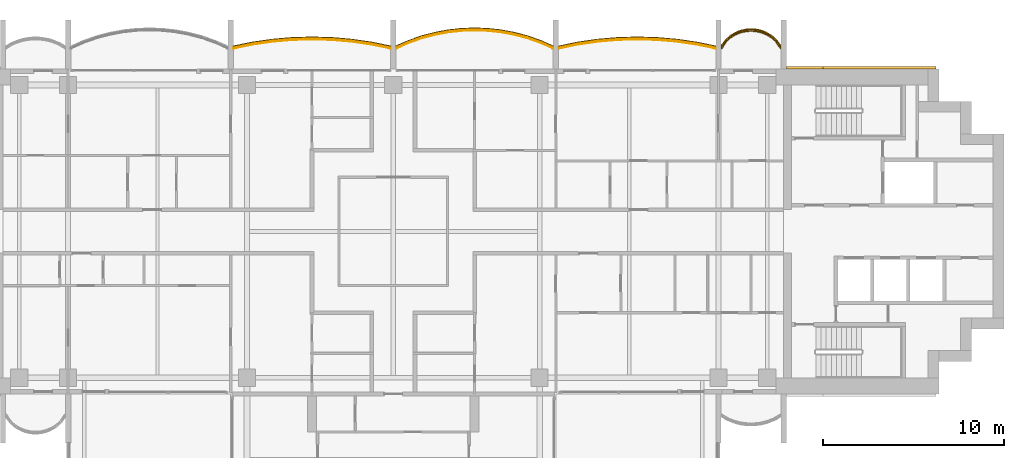
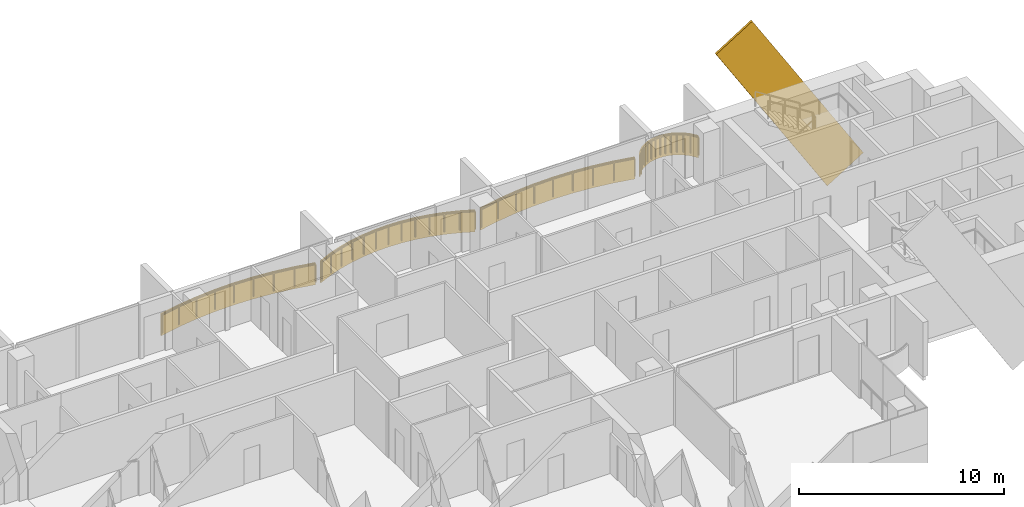
# One storey, part 18 of 18: 5 coverings, 4 railings.
"""IFC4 building model written with IfcOpenShell, lengths in metres."""

from ifc_helpers import new_model, si_unit, direction, frame, origin, origin_2d, place, context, subcontext, project, spatial, polyline, rectangle, outline, extrude, material, layer, layer_set, material_profile, profile_set, type_object, element, save


model = new_model("IFC4")

# Units and contexts
model_context = context("Model", 3, precision=1e-05, world=origin(), true_north=direction((0.0, 1.0)))
body_context = subcontext(model_context, "Body", "Model", "MODEL_VIEW")
ifc_project = project(units=[si_unit("LENGTHUNIT", "METRE"), si_unit("AREAUNIT", "SQUARE_METRE"), si_unit("VOLUMEUNIT", "CUBIC_METRE"), si_unit("PLANEANGLEUNIT", "RADIAN"), si_unit("MASSUNIT", "GRAM", prefix="KILO")], contexts=[model_context])

# Site, building, storey
site_placement = place(None, origin())
site = spatial("IfcSite", under=ifc_project, at=site_placement, CompositionType="ELEMENT")
building_placement = place(site_placement, origin())
building = spatial("IfcBuilding", under=site, at=building_placement, Name="Perihelion Cross Residences", CompositionType="ELEMENT")
storey_placement = place(building_placement, frame((0.0, 0.0, 177.10009765625)))
storey = spatial("IfcBuildingStorey", under=building, at=storey_placement, Name="L43", CompositionType="ELEMENT", Elevation=177.10009765625)

# Coverings
ifc_material_1 = material(Name="Bronze anodised aluminium", Category="aluminium")
ifc_layer = layer(ifc_material_1, 0.070068359375)
ifc_layer_set = layer_set([ifc_layer], Name="Balcony fascia 1300")
covering_type_1 = type_object("IfcCoveringType", Name="Balcony fascia 1300", PredefinedType="CLADDING", material=ifc_layer_set)
covering_1_placement = place(storey_placement, frame((0.0, 0.0, -0.2001953125)))
element("IfcCovering", 1, at=covering_1_placement, inside=storey, type_object=covering_type_1, Name="Fascia BF1 L43 east side north bay 1", PredefinedType="CLADDING", context=body_context, shape_type="SweptSolid", body=[
    extrude(outline(polyline([(21.226318359375, 10.616455078125), (20.94091796875, 10.86328125), (20.655517578125, 11.031494140625), (20.370361328125, 11.142578125), (20.085205078125, 11.206298828125), (19.800048828125, 11.22705078125), (19.514892578125, 11.206298828125), (19.229736328125, 11.142578125), (18.9443359375, 11.031494140625), (18.6591796875, 10.86328125), (18.373779296875, 10.616455078125), (18.14990234375, 10.31689453125), (18.14990234375, 10.199951171875), (18.425048828125, 10.568603515625), (18.699951171875, 10.806396484375), (18.97509765625, 10.96875), (19.25, 11.07568359375), (19.52490234375, 11.136962890625), (19.800048828125, 11.156982421875), (20.074951171875, 11.136962890625), (20.35009765625, 11.07568359375), (20.625, 10.96875), (20.89990234375, 10.806396484375), (21.175048828125, 10.568603515625), (21.449951171875, 10.199951171875), (21.449951171875, 10.31689453125), (21.226318359375, 10.616455078125)])), origin(), (0.0, 0.0, 1.0), 1.300048828125),
])
covering_2_placement = place(storey_placement, frame((0.0, 0.0, -0.2001953125)))
element("IfcCovering", 2, at=covering_2_placement, inside=storey, type_object=covering_type_1, Name="Fascia BF1 L43 east side north bay 2", PredefinedType="CLADDING", context=body_context, shape_type="SweptSolid", body=[
    extrude(outline(polyline([(16.7744140625, 10.4892578125), (15.682861328125, 10.645751953125), (14.591552734375, 10.739013671875), (13.5, 10.77001953125), (12.408447265625, 10.739013671875), (11.317138671875, 10.645751953125), (10.2255859375, 10.4892578125), (9.14990234375, 10.271484375), (9.14990234375, 10.199951171875), (10.237548828125, 10.42041015625), (11.324951171875, 10.576171875), (12.41259765625, 10.669189453125), (13.5, 10.699951171875), (14.58740234375, 10.669189453125), (15.675048828125, 10.576171875), (16.762451171875, 10.42041015625), (17.85009765625, 10.199951171875), (17.85009765625, 10.271484375), (16.7744140625, 10.4892578125)])), origin(), (0.0, 0.0, 1.0), 1.300048828125),
])
covering_3_placement = place(storey_placement, frame((0.0, 0.0, -0.2001953125)))
element("IfcCovering", 3, at=covering_3_placement, inside=storey, type_object=covering_type_1, Name="Fascia BF1 L43 north side east bay 1", PredefinedType="CLADDING", context=body_context, shape_type="SweptSolid", body=[
    extrude(outline(polyline([(8.150634765625, 10.582275390625), (7.42041015625, 10.83544921875), (6.690185546875, 11.028076171875), (5.960205078125, 11.1630859375), (5.22998046875, 11.243408203125), (4.5, 11.27001953125), (3.77001953125, 11.243408203125), (3.039794921875, 11.1630859375), (2.309814453125, 11.028076171875), (1.57958984375, 10.83544921875), (0.849365234375, 10.582275390625), (0.14990234375, 10.2763671875), (0.14990234375, 10.199951171875), (0.875, 10.51708984375), (1.60009765625, 10.7685546875), (2.324951171875, 10.959716796875), (3.050048828125, 11.093994140625), (3.77490234375, 11.173583984375), (4.5, 11.199951171875), (5.22509765625, 11.173583984375), (5.949951171875, 11.093994140625), (6.675048828125, 10.959716796875), (7.39990234375, 10.7685546875), (8.125, 10.51708984375), (8.85009765625, 10.199951171875), (8.85009765625, 10.2763671875), (8.150634765625, 10.582275390625)])), origin(), (0.0, 0.0, 1.0), 1.300048828125),
])
covering_4_placement = place(storey_placement, frame((0.0, 0.0, -0.2001953125)))
element("IfcCovering", 4, at=covering_4_placement, inside=storey, type_object=covering_type_1, Name="Fascia BF1 L43 north side east bay 2", PredefinedType="CLADDING", context=body_context, shape_type="SweptSolid", body=[
    extrude(outline(polyline([(-1.2255859375, 10.4892578125), (-2.317138671875, 10.645751953125), (-3.408447265625, 10.739013671875), (-4.5, 10.77001953125), (-5.591552734375, 10.739013671875), (-6.682861328125, 10.645751953125), (-7.7744140625, 10.4892578125), (-8.85009765625, 10.271484375), (-8.85009765625, 10.199951171875), (-7.762451171875, 10.42041015625), (-6.675048828125, 10.576171875), (-5.58740234375, 10.669189453125), (-4.5, 10.699951171875), (-3.41259765625, 10.669189453125), (-2.324951171875, 10.576171875), (-1.237548828125, 10.42041015625), (-0.14990234375, 10.199951171875), (-0.14990234375, 10.271484375), (-1.2255859375, 10.4892578125)])), origin(), (0.0, 0.0, 1.0), 1.300048828125),
])

# Railings
ifc_material_2 = material(Name="Bronze anodised aluminium", Category="aluminium")
railing_type = type_object("IfcRailingType", Name="Balcony guard 1100", PredefinedType="GUARDRAIL", material=ifc_material_2)
railing_1_placement = place(storey_placement, frame((21.425048828125, 10.139892578125, 0.0)))
element("IfcRailing", 5, at=railing_1_placement, inside=storey, type_object=railing_type, Name="Guard GU1 L43 east side north bay 1 balcony", PredefinedType="GUARDRAIL", context=body_context, shape_type="SweptSolid", body=[
    extrude(rectangle(XDim=0.048095703125, YDim=0.048095703125, at=origin_2d()), frame((0.0, 0.0, 1.076171875), z_axis=(-0.561260132269, 0.827639452857, 0.0), x_axis=(-0.827639452857, -0.561260132269, 0.0)), (0.0, 0.0, 1.0), 0.4453125),
    extrude(rectangle(XDim=0.048095703125, YDim=0.048095703125, at=origin_2d()), frame((-0.25, 0.36865234375, 1.076171875), z_axis=(-0.756596535164, 0.653882009982, 0.0), x_axis=(-0.653882009982, -0.756596535164, 0.0)), (0.0, 0.0, 1.0), 0.36376953125),
    extrude(rectangle(XDim=0.048095703125, YDim=0.048095703125, at=origin_2d()), frame((-0.525146484375, 0.6064453125, 1.076171875), z_axis=(-0.861048292884, 0.508523192511, 0.0), x_axis=(-0.508523192511, -0.861048292884, 0.0)), (0.0, 0.0, 1.0), 0.3193359375),
    extrude(rectangle(XDim=0.048095703125, YDim=0.048095703125, at=origin_2d()), frame((-0.800048828125, 0.768798828125, 1.076171875), z_axis=(-0.931973602183, 0.362526143656, 0.0), x_axis=(-0.362526143656, -0.931973602183, 0.0)), (0.0, 0.0, 1.0), 0.294921875),
    extrude(rectangle(XDim=0.048095703125, YDim=0.048095703125, at=origin_2d()), frame((-1.074951171875, 0.875732421875, 1.076171875), z_axis=(-0.976085059389, 0.21738895289, 0.0), x_axis=(-0.21738895289, -0.976085059389, 0.0)), (0.0, 0.0, 1.0), 0.281982421875),
    extrude(rectangle(XDim=0.048095703125, YDim=0.048095703125, at=origin_2d()), frame((-1.35009765625, 0.93701171875, 1.076171875), z_axis=(-0.997358821833, 0.072631814734, 0.0), x_axis=(-0.072631814734, -0.997358821833, 0.0)), (0.0, 0.0, 1.0), 0.275634765625),
    extrude(rectangle(XDim=0.048095703125, YDim=0.048095703125, at=origin_2d()), frame((-1.625, 0.95703125, 1.076171875), z_axis=(-0.997363488337, -0.072567707226, 0.0), x_axis=(0.072567707226, -0.997363488337, 0.0)), (0.0, 0.0, 1.0), 0.27587890625),
    extrude(rectangle(XDim=0.048095703125, YDim=0.048095703125, at=origin_2d()), frame((-1.900146484375, 0.93701171875, 1.076171875), z_axis=(-0.976044077717, -0.217572880557, 0.0), x_axis=(0.217572880557, -0.976044077717, 0.0)), (0.0, 0.0, 1.0), 0.28173828125),
    extrude(rectangle(XDim=0.048095703125, YDim=0.048095703125, at=origin_2d()), frame((-2.175048828125, 0.875732421875, 1.076171875), z_axis=(-0.931973602183, -0.362526143656, 0.0), x_axis=(0.362526143656, -0.931973602183, 0.0)), (0.0, 0.0, 1.0), 0.294921875),
    extrude(rectangle(XDim=0.048095703125, YDim=0.048095703125, at=origin_2d()), frame((-2.449951171875, 0.768798828125, 1.076171875), z_axis=(-0.861245845072, -0.508188542123, 0.0), x_axis=(0.508188542123, -0.861245845072, 0.0)), (0.0, 0.0, 1.0), 0.319580078125),
    extrude(rectangle(XDim=0.048095703125, YDim=0.048095703125, at=origin_2d()), frame((-2.72509765625, 0.6064453125, 1.076171875), z_axis=(-0.756309278473, -0.654214242658, 0.0), x_axis=(0.654214242658, -0.756309278473, 0.0)), (0.0, 0.0, 1.0), 0.363525390625),
    extrude(rectangle(XDim=0.048095703125, YDim=0.048095703125, at=origin_2d()), frame((-3.0, 0.36865234375, 1.076171875), z_axis=(-0.561260132269, -0.827639452857, 0.0), x_axis=(0.827639452857, -0.561260132269, 0.0)), (0.0, 0.0, 1.0), 0.4453125),
    extrude(rectangle(XDim=0.0419921875, YDim=0.0419921875, at=origin_2d()), origin(), (0.0, 0.0, 1.0), 1.052001953125),
    extrude(rectangle(XDim=0.0419921875, YDim=0.0419921875, at=origin_2d()), frame((-0.25, 0.36865234375, 0.0)), (0.0, 0.0, 1.0), 1.052001953125),
    extrude(rectangle(XDim=0.0419921875, YDim=0.0419921875, at=origin_2d()), frame((-0.525146484375, 0.6064453125, 0.0)), (0.0, 0.0, 1.0), 1.052001953125),
    extrude(rectangle(XDim=0.0419921875, YDim=0.0419921875, at=origin_2d()), frame((-0.800048828125, 0.768798828125, 0.0)), (0.0, 0.0, 1.0), 1.052001953125),
    extrude(rectangle(XDim=0.0419921875, YDim=0.0419921875, at=origin_2d()), frame((-1.074951171875, 0.875732421875, 0.0)), (0.0, 0.0, 1.0), 1.052001953125),
    extrude(rectangle(XDim=0.0419921875, YDim=0.0419921875, at=origin_2d()), frame((-1.35009765625, 0.93701171875, 0.0)), (0.0, 0.0, 1.0), 1.052001953125),
    extrude(rectangle(XDim=0.0419921875, YDim=0.0419921875, at=origin_2d()), frame((-1.625, 0.95703125, 0.0)), (0.0, 0.0, 1.0), 1.052001953125),
    extrude(rectangle(XDim=0.0419921875, YDim=0.0419921875, at=origin_2d()), frame((-1.900146484375, 0.93701171875, 0.0)), (0.0, 0.0, 1.0), 1.052001953125),
    extrude(rectangle(XDim=0.0419921875, YDim=0.0419921875, at=origin_2d()), frame((-2.175048828125, 0.875732421875, 0.0)), (0.0, 0.0, 1.0), 1.052001953125),
    extrude(rectangle(XDim=0.0419921875, YDim=0.0419921875, at=origin_2d()), frame((-2.449951171875, 0.768798828125, 0.0)), (0.0, 0.0, 1.0), 1.052001953125),
    extrude(rectangle(XDim=0.0419921875, YDim=0.0419921875, at=origin_2d()), frame((-2.72509765625, 0.6064453125, 0.0)), (0.0, 0.0, 1.0), 1.052001953125),
    extrude(rectangle(XDim=0.0419921875, YDim=0.0419921875, at=origin_2d()), frame((-3.0, 0.36865234375, 0.0)), (0.0, 0.0, 1.0), 1.052001953125),
    extrude(rectangle(XDim=0.0419921875, YDim=0.0419921875, at=origin_2d()), frame((-3.25, 0.0, 0.0)), (0.0, 0.0, 1.0), 1.052001953125),
])
railing_2_placement = place(storey_placement, frame((17.824951171875, 10.139892578125, 0.0)))
element("IfcRailing", 6, at=railing_2_placement, inside=storey, type_object=railing_type, Name="Guard GU1 L43 east side north bay 2 balcony", PredefinedType="GUARDRAIL", context=body_context, shape_type="SweptSolid", body=[
    extrude(rectangle(XDim=0.048095703125, YDim=0.048095703125, at=origin_2d()), frame((0.0, 0.0, 1.076171875), z_axis=(-0.979144816647, 0.203163549961, 0.0), x_axis=(-0.203163549961, -0.979144816647, 0.0)), (0.0, 0.0, 1.0), 1.085205078125),
    extrude(rectangle(XDim=0.048095703125, YDim=0.048095703125, at=origin_2d()), frame((-1.0625, 0.220458984375, 1.076171875), z_axis=(-0.98989608354, 0.141794724135, 0.0), x_axis=(-0.141794724135, -0.98989608354, 0.0)), (0.0, 0.0, 1.0), 1.098388671875),
    extrude(rectangle(XDim=0.048095703125, YDim=0.048095703125, at=origin_2d()), frame((-2.14990234375, 0.376220703125, 1.076171875), z_axis=(-0.996362942492, 0.085210837506, 0.0), x_axis=(-0.085210837506, -0.996362942492, 0.0)), (0.0, 0.0, 1.0), 1.091552734375),
    extrude(rectangle(XDim=0.048095703125, YDim=0.048095703125, at=origin_2d()), frame((-3.237548828125, 0.46923828125, 1.076171875), z_axis=(-0.999600101203, 0.028277865458, 0.0), x_axis=(-0.028277865458, -0.999600101203, 0.0)), (0.0, 0.0, 1.0), 1.087890625),
    extrude(rectangle(XDim=0.048095703125, YDim=0.048095703125, at=origin_2d()), frame((-4.324951171875, 0.5, 1.076171875), z_axis=(-0.999600101203, -0.028277865458, 0.0), x_axis=(0.028277865458, -0.999600101203, 0.0)), (0.0, 0.0, 1.0), 1.087890625),
    extrude(rectangle(XDim=0.048095703125, YDim=0.048095703125, at=origin_2d()), frame((-5.412353515625, 0.46923828125, 1.076171875), z_axis=(-0.996362942492, -0.085210837506, 0.0), x_axis=(0.085210837506, -0.996362942492, 0.0)), (0.0, 0.0, 1.0), 1.091552734375),
    extrude(rectangle(XDim=0.048095703125, YDim=0.048095703125, at=origin_2d()), frame((-6.5, 0.376220703125, 1.076171875), z_axis=(-0.98989608354, -0.141794724135, 0.0), x_axis=(0.141794724135, -0.98989608354, 0.0)), (0.0, 0.0, 1.0), 1.098388671875),
    extrude(rectangle(XDim=0.048095703125, YDim=0.048095703125, at=origin_2d()), frame((-7.58740234375, 0.220458984375, 1.076171875), z_axis=(-0.979144816647, -0.203163549961, 0.0), x_axis=(0.203163549961, -0.979144816647, 0.0)), (0.0, 0.0, 1.0), 1.085205078125),
    extrude(rectangle(XDim=0.0419921875, YDim=0.0419921875, at=origin_2d()), origin(), (0.0, 0.0, 1.0), 1.052001953125),
    extrude(rectangle(XDim=0.0419921875, YDim=0.0419921875, at=origin_2d()), frame((-1.0625, 0.220458984375, 0.0)), (0.0, 0.0, 1.0), 1.052001953125),
    extrude(rectangle(XDim=0.0419921875, YDim=0.0419921875, at=origin_2d()), frame((-2.14990234375, 0.376220703125, 0.0)), (0.0, 0.0, 1.0), 1.052001953125),
    extrude(rectangle(XDim=0.0419921875, YDim=0.0419921875, at=origin_2d()), frame((-3.237548828125, 0.46923828125, 0.0)), (0.0, 0.0, 1.0), 1.052001953125),
    extrude(rectangle(XDim=0.0419921875, YDim=0.0419921875, at=origin_2d()), frame((-4.324951171875, 0.5, 0.0)), (0.0, 0.0, 1.0), 1.052001953125),
    extrude(rectangle(XDim=0.0419921875, YDim=0.0419921875, at=origin_2d()), frame((-5.412353515625, 0.46923828125, 0.0)), (0.0, 0.0, 1.0), 1.052001953125),
    extrude(rectangle(XDim=0.0419921875, YDim=0.0419921875, at=origin_2d()), frame((-6.5, 0.376220703125, 0.0)), (0.0, 0.0, 1.0), 1.052001953125),
    extrude(rectangle(XDim=0.0419921875, YDim=0.0419921875, at=origin_2d()), frame((-7.58740234375, 0.220458984375, 0.0)), (0.0, 0.0, 1.0), 1.052001953125),
    extrude(rectangle(XDim=0.0419921875, YDim=0.0419921875, at=origin_2d()), frame((-8.64990234375, 0.0, 0.0)), (0.0, 0.0, 1.0), 1.052001953125),
])
railing_3_placement = place(storey_placement, frame((8.824951171875, 10.139892578125, 0.0)))
element("IfcRailing", 7, at=railing_3_placement, inside=storey, type_object=railing_type, Name="Guard GU1 L43 north side east bay 1 balcony", PredefinedType="GUARDRAIL", context=body_context, shape_type="SweptSolid", body=[
    extrude(rectangle(XDim=0.048095703125, YDim=0.048095703125, at=origin_2d()), frame((0.0, 0.0, 1.076171875), z_axis=(-0.910866309087, 0.412701547089, 0.0), x_axis=(-0.412701547089, -0.910866309087, 0.0)), (0.0, 0.0, 1.0), 0.7685546875),
    extrude(rectangle(XDim=0.048095703125, YDim=0.048095703125, at=origin_2d()), frame((-0.699951171875, 0.317138671875, 1.076171875), z_axis=(-0.944796812452, 0.327656807012, 0.0), x_axis=(-0.327656807012, -0.944796812452, 0.0)), (0.0, 0.0, 1.0), 0.767578125),
    extrude(rectangle(XDim=0.048095703125, YDim=0.048095703125, at=origin_2d()), frame((-1.425048828125, 0.568603515625, 1.076171875), z_axis=(-0.966939404945, 0.255006249266, 0.0), x_axis=(-0.255006249266, -0.966939404945, 0.0)), (0.0, 0.0, 1.0), 0.749755859375),
    extrude(rectangle(XDim=0.048095703125, YDim=0.048095703125, at=origin_2d()), frame((-2.14990234375, 0.759765625, 1.076171875), z_axis=(-0.983282004984, 0.182089260182, 0.0), x_axis=(-0.182089260182, -0.983282004984, 0.0)), (0.0, 0.0, 1.0), 0.7373046875),
    extrude(rectangle(XDim=0.048095703125, YDim=0.048095703125, at=origin_2d()), frame((-2.875, 0.89404296875, 1.076171875), z_axis=(-0.994025805622, 0.109145305703, 0.0), x_axis=(-0.109145305703, -0.994025805622, 0.0)), (0.0, 0.0, 1.0), 0.729248046875),
    extrude(rectangle(XDim=0.048095703125, YDim=0.048095703125, at=origin_2d()), frame((-3.599853515625, 0.9736328125, 1.076171875), z_axis=(-0.999339497946, 0.036339618107, 0.0), x_axis=(-0.036339618107, -0.999339497946, 0.0)), (0.0, 0.0, 1.0), 0.7255859375),
    extrude(rectangle(XDim=0.048095703125, YDim=0.048095703125, at=origin_2d()), frame((-4.324951171875, 1.0, 1.076171875), z_axis=(-0.999339497946, -0.036339618107, 0.0), x_axis=(0.036339618107, -0.999339497946, 0.0)), (0.0, 0.0, 1.0), 0.7255859375),
    extrude(rectangle(XDim=0.048095703125, YDim=0.048095703125, at=origin_2d()), frame((-5.050048828125, 0.9736328125, 1.076171875), z_axis=(-0.994025805622, -0.109145305703, 0.0), x_axis=(0.109145305703, -0.994025805622, 0.0)), (0.0, 0.0, 1.0), 0.729248046875),
    extrude(rectangle(XDim=0.048095703125, YDim=0.048095703125, at=origin_2d()), frame((-5.77490234375, 0.89404296875, 1.076171875), z_axis=(-0.983282004984, -0.182089260182, 0.0), x_axis=(0.182089260182, -0.983282004984, 0.0)), (0.0, 0.0, 1.0), 0.7373046875),
    extrude(rectangle(XDim=0.048095703125, YDim=0.048095703125, at=origin_2d()), frame((-6.5, 0.759765625, 1.076171875), z_axis=(-0.966939404945, -0.255006249266, 0.0), x_axis=(0.255006249266, -0.966939404945, 0.0)), (0.0, 0.0, 1.0), 0.749755859375),
    extrude(rectangle(XDim=0.048095703125, YDim=0.048095703125, at=origin_2d()), frame((-7.224853515625, 0.568603515625, 1.076171875), z_axis=(-0.944796812452, -0.327656807012, 0.0), x_axis=(0.327656807012, -0.944796812452, 0.0)), (0.0, 0.0, 1.0), 0.767578125),
    extrude(rectangle(XDim=0.048095703125, YDim=0.048095703125, at=origin_2d()), frame((-7.949951171875, 0.317138671875, 1.076171875), z_axis=(-0.910866309087, -0.412701547089, 0.0), x_axis=(0.412701547089, -0.910866309087, 0.0)), (0.0, 0.0, 1.0), 0.7685546875),
    extrude(rectangle(XDim=0.0419921875, YDim=0.0419921875, at=origin_2d()), origin(), (0.0, 0.0, 1.0), 1.052001953125),
    extrude(rectangle(XDim=0.0419921875, YDim=0.0419921875, at=origin_2d()), frame((-0.699951171875, 0.317138671875, 0.0)), (0.0, 0.0, 1.0), 1.052001953125),
    extrude(rectangle(XDim=0.0419921875, YDim=0.0419921875, at=origin_2d()), frame((-1.425048828125, 0.568603515625, 0.0)), (0.0, 0.0, 1.0), 1.052001953125),
    extrude(rectangle(XDim=0.0419921875, YDim=0.0419921875, at=origin_2d()), frame((-2.14990234375, 0.759765625, 0.0)), (0.0, 0.0, 1.0), 1.052001953125),
    extrude(rectangle(XDim=0.0419921875, YDim=0.0419921875, at=origin_2d()), frame((-2.875, 0.89404296875, 0.0)), (0.0, 0.0, 1.0), 1.052001953125),
    extrude(rectangle(XDim=0.0419921875, YDim=0.0419921875, at=origin_2d()), frame((-3.599853515625, 0.9736328125, 0.0)), (0.0, 0.0, 1.0), 1.052001953125),
    extrude(rectangle(XDim=0.0419921875, YDim=0.0419921875, at=origin_2d()), frame((-4.324951171875, 1.0, 0.0)), (0.0, 0.0, 1.0), 1.052001953125),
    extrude(rectangle(XDim=0.0419921875, YDim=0.0419921875, at=origin_2d()), frame((-5.050048828125, 0.9736328125, 0.0)), (0.0, 0.0, 1.0), 1.052001953125),
    extrude(rectangle(XDim=0.0419921875, YDim=0.0419921875, at=origin_2d()), frame((-5.77490234375, 0.89404296875, 0.0)), (0.0, 0.0, 1.0), 1.052001953125),
    extrude(rectangle(XDim=0.0419921875, YDim=0.0419921875, at=origin_2d()), frame((-6.5, 0.759765625, 0.0)), (0.0, 0.0, 1.0), 1.052001953125),
    extrude(rectangle(XDim=0.0419921875, YDim=0.0419921875, at=origin_2d()), frame((-7.224853515625, 0.568603515625, 0.0)), (0.0, 0.0, 1.0), 1.052001953125),
    extrude(rectangle(XDim=0.0419921875, YDim=0.0419921875, at=origin_2d()), frame((-7.949951171875, 0.317138671875, 0.0)), (0.0, 0.0, 1.0), 1.052001953125),
    extrude(rectangle(XDim=0.0419921875, YDim=0.0419921875, at=origin_2d()), frame((-8.64990234375, 0.0, 0.0)), (0.0, 0.0, 1.0), 1.052001953125),
])
railing_4_placement = place(storey_placement, frame((-0.175048828125, 10.139892578125, 0.0)))
element("IfcRailing", 8, at=railing_4_placement, inside=storey, type_object=railing_type, Name="Guard GU1 L43 north side east bay 2 balcony", PredefinedType="GUARDRAIL", context=body_context, shape_type="SweptSolid", body=[
    extrude(rectangle(XDim=0.048095703125, YDim=0.048095703125, at=origin_2d()), frame((0.0, 0.0, 1.076171875), z_axis=(-0.979144816647, 0.203163549961, 0.0), x_axis=(-0.203163549961, -0.979144816647, 0.0)), (0.0, 0.0, 1.0), 1.085205078125),
    extrude(rectangle(XDim=0.048095703125, YDim=0.048095703125, at=origin_2d()), frame((-1.0625, 0.220458984375, 1.076171875), z_axis=(-0.98989608354, 0.141794724135, 0.0), x_axis=(-0.141794724135, -0.98989608354, 0.0)), (0.0, 0.0, 1.0), 1.098388671875),
    extrude(rectangle(XDim=0.048095703125, YDim=0.048095703125, at=origin_2d()), frame((-2.14990234375, 0.376220703125, 1.076171875), z_axis=(-0.996362942492, 0.085210837506, 0.0), x_axis=(-0.085210837506, -0.996362942492, 0.0)), (0.0, 0.0, 1.0), 1.091552734375),
    extrude(rectangle(XDim=0.048095703125, YDim=0.048095703125, at=origin_2d()), frame((-3.237548828125, 0.46923828125, 1.076171875), z_axis=(-0.999600101203, 0.028277865458, 0.0), x_axis=(-0.028277865458, -0.999600101203, 0.0)), (0.0, 0.0, 1.0), 1.087890625),
    extrude(rectangle(XDim=0.048095703125, YDim=0.048095703125, at=origin_2d()), frame((-4.324951171875, 0.5, 1.076171875), z_axis=(-0.999600101203, -0.028277865458, 0.0), x_axis=(0.028277865458, -0.999600101203, 0.0)), (0.0, 0.0, 1.0), 1.087890625),
    extrude(rectangle(XDim=0.048095703125, YDim=0.048095703125, at=origin_2d()), frame((-5.412353515625, 0.46923828125, 1.076171875), z_axis=(-0.996362942492, -0.085210837506, 0.0), x_axis=(0.085210837506, -0.996362942492, 0.0)), (0.0, 0.0, 1.0), 1.091552734375),
    extrude(rectangle(XDim=0.048095703125, YDim=0.048095703125, at=origin_2d()), frame((-6.5, 0.376220703125, 1.076171875), z_axis=(-0.98989608354, -0.141794724135, 0.0), x_axis=(0.141794724135, -0.98989608354, 0.0)), (0.0, 0.0, 1.0), 1.098388671875),
    extrude(rectangle(XDim=0.048095703125, YDim=0.048095703125, at=origin_2d()), frame((-7.58740234375, 0.220458984375, 1.076171875), z_axis=(-0.979144816647, -0.203163549961, 0.0), x_axis=(0.203163549961, -0.979144816647, 0.0)), (0.0, 0.0, 1.0), 1.085205078125),
    extrude(rectangle(XDim=0.0419921875, YDim=0.0419921875, at=origin_2d()), origin(), (0.0, 0.0, 1.0), 1.052001953125),
    extrude(rectangle(XDim=0.0419921875, YDim=0.0419921875, at=origin_2d()), frame((-1.0625, 0.220458984375, 0.0)), (0.0, 0.0, 1.0), 1.052001953125),
    extrude(rectangle(XDim=0.0419921875, YDim=0.0419921875, at=origin_2d()), frame((-2.14990234375, 0.376220703125, 0.0)), (0.0, 0.0, 1.0), 1.052001953125),
    extrude(rectangle(XDim=0.0419921875, YDim=0.0419921875, at=origin_2d()), frame((-3.237548828125, 0.46923828125, 0.0)), (0.0, 0.0, 1.0), 1.052001953125),
    extrude(rectangle(XDim=0.0419921875, YDim=0.0419921875, at=origin_2d()), frame((-4.324951171875, 0.5, 0.0)), (0.0, 0.0, 1.0), 1.052001953125),
    extrude(rectangle(XDim=0.0419921875, YDim=0.0419921875, at=origin_2d()), frame((-5.412353515625, 0.46923828125, 0.0)), (0.0, 0.0, 1.0), 1.052001953125),
    extrude(rectangle(XDim=0.0419921875, YDim=0.0419921875, at=origin_2d()), frame((-6.5, 0.376220703125, 0.0)), (0.0, 0.0, 1.0), 1.052001953125),
    extrude(rectangle(XDim=0.0419921875, YDim=0.0419921875, at=origin_2d()), frame((-7.58740234375, 0.220458984375, 0.0)), (0.0, 0.0, 1.0), 1.052001953125),
    extrude(rectangle(XDim=0.0419921875, YDim=0.0419921875, at=origin_2d()), frame((-8.64990234375, 0.0, 0.0)), (0.0, 0.0, 1.0), 1.052001953125),
])

# Covering
ifc_material_3 = material(Name="Bronze anodised aluminium", Category="aluminium")
ifc_material_profile = material_profile(ifc_material_3, rectangle(XDim=0.125, YDim=2.39990234375, at=origin_2d()), Name="Bronze cladding band 2400")
ifc_profile_set = profile_set([ifc_material_profile], Name="Bronze anodised aluminium")
covering_type_2 = type_object("IfcCoveringType", Name="Bronze cladding band 2400", PredefinedType="CLADDING", material=ifc_profile_set)
covering_5_placement = place(storey_placement, frame((29.0322265625, 9.0625, -2.805419921875), z_axis=(-0.529915403603, 0.0, 0.848050508534), x_axis=(0.0, -1.0, 0.0)))
element("IfcCovering", 9, at=covering_5_placement, inside=storey, type_object=covering_type_2, Name="Core cladding band, east core", PredefinedType="CLADDING", context=body_context, shape_type="SweptSolid", body=[
    extrude(rectangle(XDim=0.125, YDim=2.39990234375, at=origin_2d()), origin(), (0.0, 0.0, 1.0), 11.822021484375),
])

save(model, "model.ifc")
